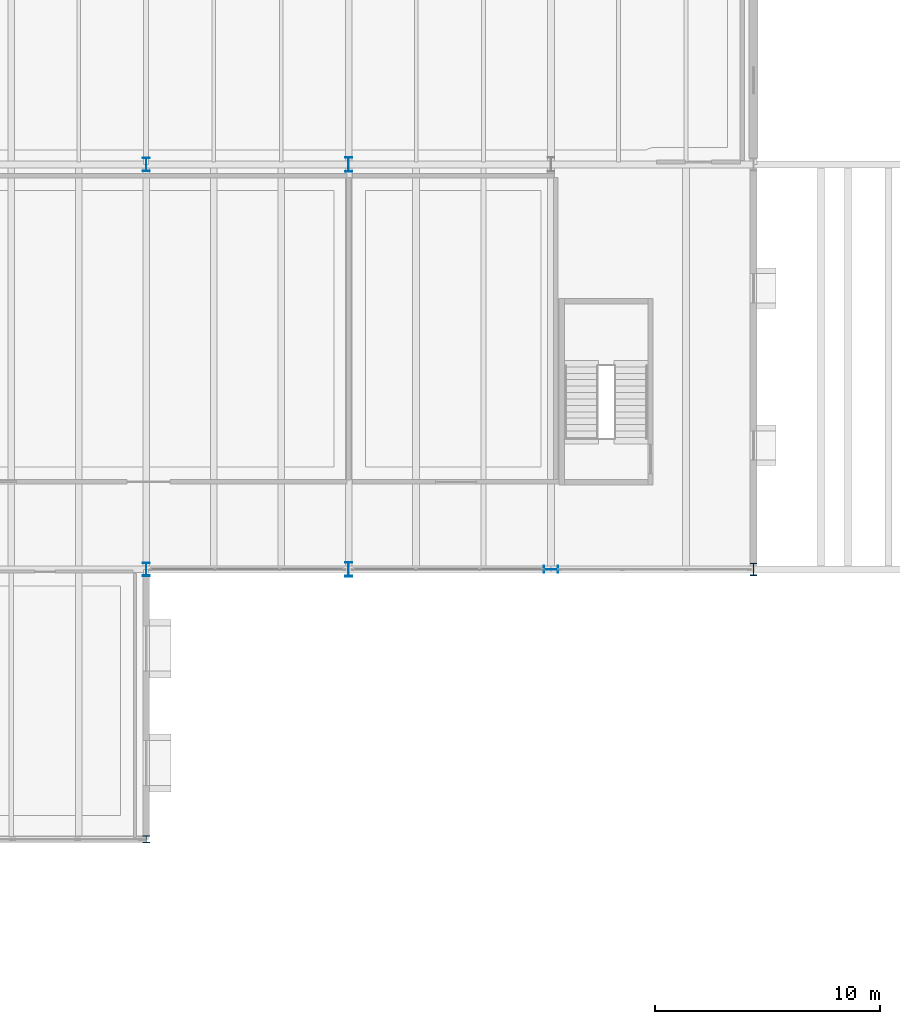
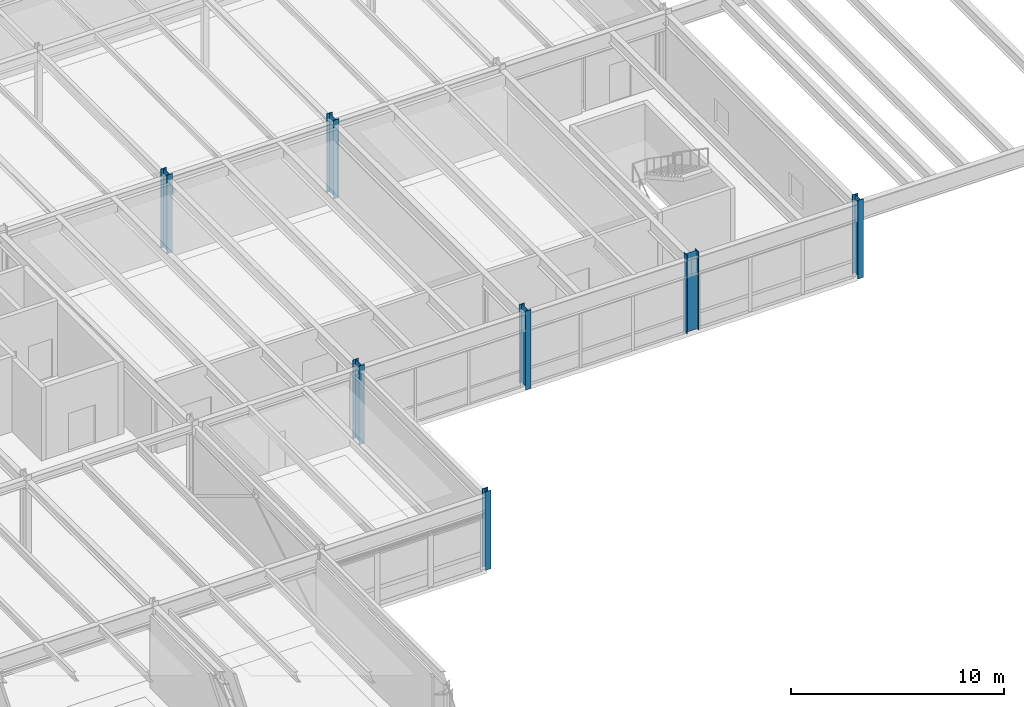
# One storey, part 17 of 127: 7 columns.
"""IFC4 building model written with IfcOpenShell, lengths in metres."""

from ifc_helpers import new_model, si_unit, direction, frame, origin, origin_2d, place, context, subcontext, project, spatial, i_section, extrude, material, material_profile, profile_set, type_object, element, save


model = new_model("IFC4")

# Units and contexts
model_context = context("Model", 3, precision=1e-05, world=origin(), true_north=direction((0.0, 1.0)))
body_context = subcontext(model_context, "Body", "Model", "MODEL_VIEW")
ifc_project = project(units=[si_unit("LENGTHUNIT", "METRE"), si_unit("AREAUNIT", "SQUARE_METRE"), si_unit("VOLUMEUNIT", "CUBIC_METRE"), si_unit("PLANEANGLEUNIT", "RADIAN"), si_unit("MASSUNIT", "GRAM", prefix="KILO")], contexts=[model_context])

# Site, building, storey
site_placement = place(None, origin())
site = spatial("IfcSite", under=ifc_project, at=site_placement, CompositionType="ELEMENT")
building_placement = place(site_placement, origin())
building = spatial("IfcBuilding", under=site, at=building_placement, Name="Montelvaro Courts of Justice", CompositionType="ELEMENT")
storey_placement = place(building_placement, frame((0.0, 0.0, 5.39990234375)))
storey = spatial("IfcBuildingStorey", under=building, at=storey_placement, Name="L01", CompositionType="ELEMENT", Elevation=5.39990234375)

# Columns
ifc_material = material(Name="Steel S355", Category="steel")
ifc_material_profile_1 = material_profile(ifc_material, i_section(OverallWidth=0.300048828125, OverallDepth=0.320068359375, WebThickness=0.011474609375, FlangeThickness=0.0205078125, at=origin_2d()), Name="HEB 320")
ifc_profile_set_1 = profile_set([ifc_material_profile_1], Name="Steel S355")
column_type_1 = type_object("IfcColumnType", Name="Col_HEB320", PredefinedType="COLUMN", material=ifc_profile_set_1)
column_1_placement = place(storey_placement, frame((135.0, 66.0, 0.0), z_axis=(0.0, 0.0, 1.0), x_axis=(1.0, 0.0, 0.0)))
element("IfcColumn", 1, at=column_1_placement, inside=storey, type_object=column_type_1, Name="Column C-04 L01 16/F", PredefinedType="COLUMN", context=body_context, shape_type="SweptSolid", body=[
    extrude(i_section(OverallWidth=0.300048828125, OverallDepth=0.320068359375, WebThickness=0.011474609375, FlangeThickness=0.0205078125, at=origin_2d()), origin(), (0.0, 0.0, 1.0), 4.5),
])
ifc_material_profile_2 = material_profile(ifc_material, i_section(OverallWidth=0.300048828125, OverallDepth=0.550048828125, WebThickness=0.014892578125, FlangeThickness=0.029052734375, at=origin_2d()), Name="HEB 550")
ifc_profile_set_2 = profile_set([ifc_material_profile_2], Name="Steel S355")
column_type_2 = type_object("IfcColumnType", Name="Col_HEB550", PredefinedType="COLUMN", material=ifc_profile_set_2)
column_2_placement = place(storey_placement, frame((162.0, 78.0, 0.0), z_axis=(0.0, 0.0, 1.0), x_axis=(1.0, 0.0, 0.0)))
element("IfcColumn", 2, at=column_2_placement, inside=storey, type_object=column_type_2, Name="Column C-10 L01 19/G", PredefinedType="COLUMN", context=body_context, shape_type="SweptSolid", body=[
    extrude(i_section(OverallWidth=0.300048828125, OverallDepth=0.550048828125, WebThickness=0.014892578125, FlangeThickness=0.029052734375, at=origin_2d()), origin(), (0.0, 0.0, 1.0), 4.5),
])
ifc_material_profile_3 = material_profile(ifc_material, i_section(OverallWidth=0.300048828125, OverallDepth=0.60009765625, WebThickness=0.015380859375, FlangeThickness=0.030029296875, at=origin_2d()), Name="HEB 600")
ifc_profile_set_3 = profile_set([ifc_material_profile_3], Name="Steel S355")
column_type_3 = type_object("IfcColumnType", Name="Col_HEB600", PredefinedType="COLUMN", material=ifc_profile_set_3)
for number, where, z_axis, x_axis, name in (
    (3, (135.0, 78.0, 0.0), (0.0, 0.0, 1.0), (1.0, 0.0, 0.0), "Column C-11 L01 16/G"),
    (4, (135.0, 96.0, 0.0), (0.0, 0.0, 1.0), (1.0, 0.0, 0.0), "Column C-11 L01 16/H"),
):
    element("IfcColumn", number, at=place(storey_placement, frame(where, z_axis=z_axis, x_axis=x_axis)), inside=storey, type_object=column_type_3, Name=name, PredefinedType="COLUMN", context=body_context, shape_type="SweptSolid", body=[
        extrude(i_section(OverallWidth=0.300048828125, OverallDepth=0.60009765625, WebThickness=0.015380859375, FlangeThickness=0.030029296875, at=origin_2d()), origin(), (0.0, 0.0, 1.0), 4.5),
    ])
ifc_material_profile_4 = material_profile(ifc_material, i_section(OverallWidth=0.300048828125, OverallDepth=0.64990234375, WebThickness=0.01611328125, FlangeThickness=0.031005859375, at=origin_2d()), Name="HEB 650")
ifc_profile_set_4 = profile_set([ifc_material_profile_4], Name="Steel S355")
column_type_4 = type_object("IfcColumnType", Name="Col_HEB650", PredefinedType="COLUMN", material=ifc_profile_set_4)
for number, where, z_axis, x_axis, name in (
    (5, (144.0, 78.0, 0.0), (0.0, 0.0, 1.0), (1.0, 0.0, 0.0), "Column C-12 L01 17/G"),
    (6, (144.0, 96.0, 0.0), (0.0, 0.0, 1.0), (1.0, 0.0, 0.0), "Column C-12 L01 17/H"),
    (7, (153.0, 78.0, 0.0), (0.0, 0.0, 1.0), (0.0, 1.0, 0.0), "Column C-12 L01 18/G"),
):
    element("IfcColumn", number, at=place(storey_placement, frame(where, z_axis=z_axis, x_axis=x_axis)), inside=storey, type_object=column_type_4, Name=name, PredefinedType="COLUMN", context=body_context, shape_type="SweptSolid", body=[
        extrude(i_section(OverallWidth=0.300048828125, OverallDepth=0.64990234375, WebThickness=0.01611328125, FlangeThickness=0.031005859375, at=origin_2d()), origin(), (0.0, 0.0, 1.0), 4.5),
    ])

save(model, "model.ifc")
